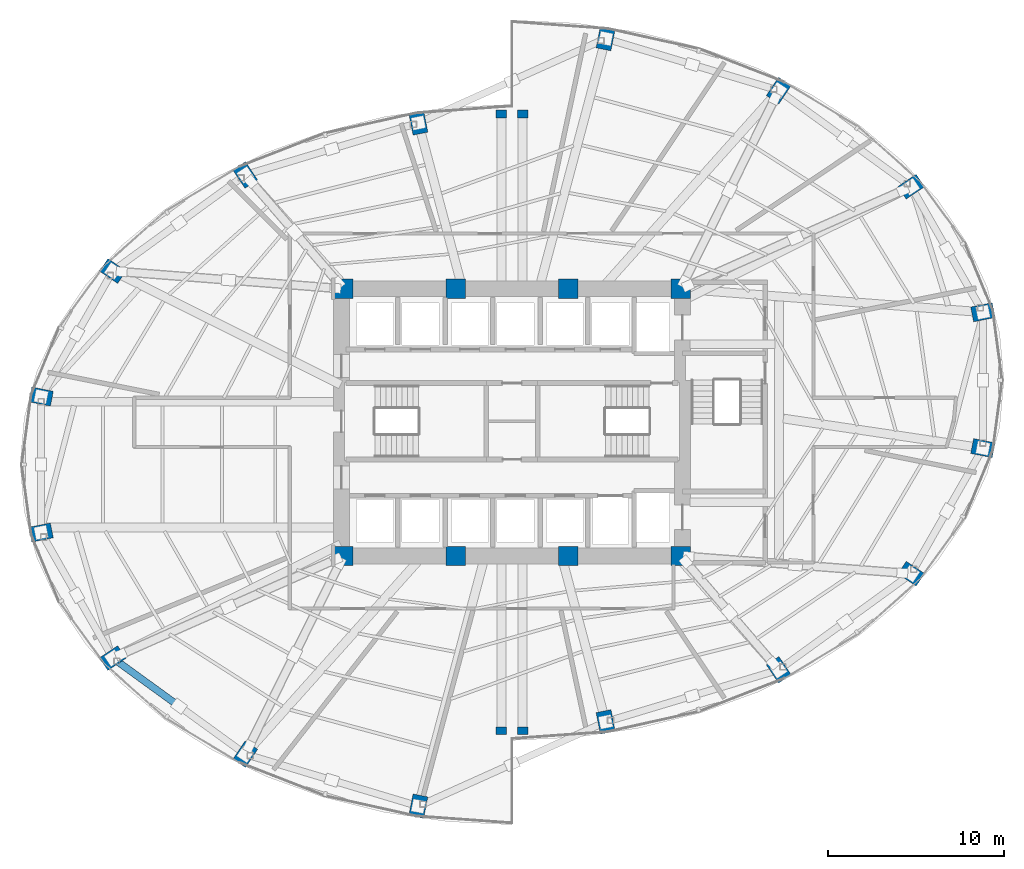
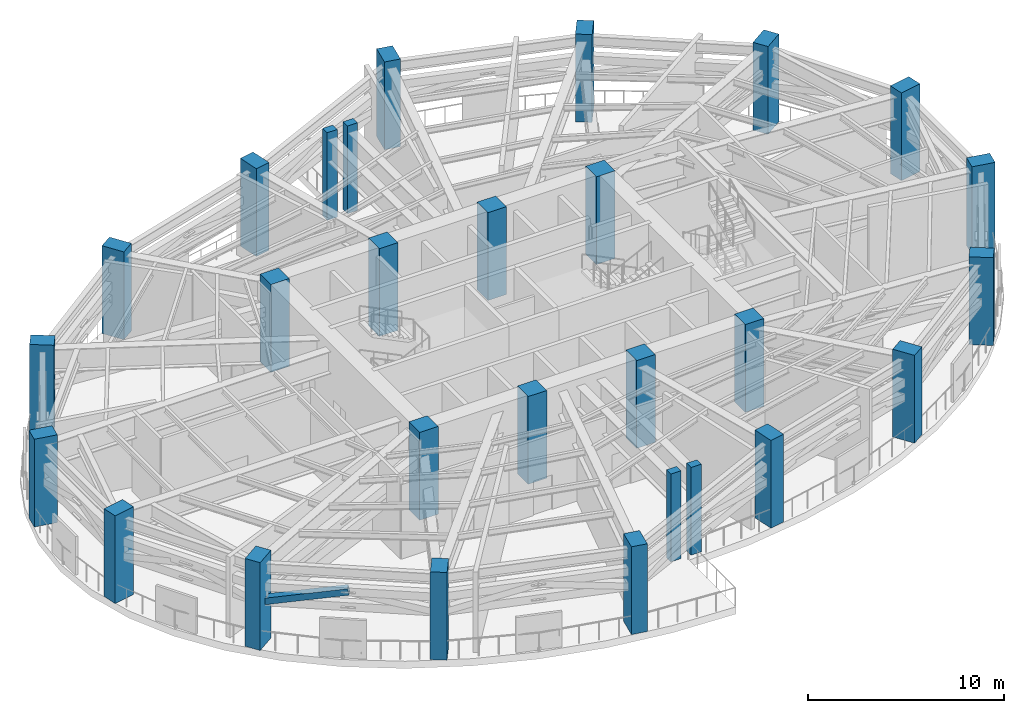
# One storey, part 1 of 14: 28 columns, 1 member.
"""IFC4 building model written with IfcOpenShell, lengths in metres."""

from ifc_helpers import new_model, si_unit, direction, frame, origin, origin_2d, place, context, subcontext, project, spatial, rectangle, hollow_rectangle, extrude, material, material_profile, profile_set, type_object, element, save


model = new_model("IFC4")

# Units and contexts
model_context = context("Model", 3, precision=1e-05, world=origin(), true_north=direction((0.0, 1.0)))
body_context = subcontext(model_context, "Body", "Model", "MODEL_VIEW")
ifc_project = project(units=[si_unit("LENGTHUNIT", "METRE"), si_unit("AREAUNIT", "SQUARE_METRE"), si_unit("VOLUMEUNIT", "CUBIC_METRE"), si_unit("PLANEANGLEUNIT", "RADIAN"), si_unit("MASSUNIT", "GRAM", prefix="KILO")], contexts=[model_context])

# Site, building, storey
site_placement = place(None, origin())
site = spatial("IfcSite", under=ifc_project, at=site_placement, CompositionType="ELEMENT")
building_placement = place(site_placement, origin())
building = spatial("IfcBuilding", under=site, at=building_placement, Name="Lazwardi Medical Tower", CompositionType="ELEMENT")
storey_placement = place(building_placement, frame((0.0, 0.0, 76.27197265625)))
storey = spatial("IfcBuildingStorey", under=building, at=storey_placement, Name="L19", CompositionType="ELEMENT", Elevation=76.27197265625)

# Columns
ifc_material_1 = material(Name="Concrete C80/95", Category="concrete")
ifc_material_profile_1 = material_profile(ifc_material_1, rectangle(XDim=1.10009765625, YDim=1.10009765625, at=origin_2d()), Name="RC 1100x1100")
ifc_profile_set_1 = profile_set([ifc_material_profile_1], Name="Concrete C80/95")
column_type_1 = type_object("IfcColumnType", Name="COL-CC-L", PredefinedType="COLUMN", material=ifc_profile_set_1)
for number, where, z_axis, x_axis, name in (
    (1, (26.39990234375, 20.39990234375, 0.0), (0.0, 0.0, 1.0), (1.0, 0.0, 0.0), "Core column CC-01 CC1 L19"),
    (2, (32.800048828125, 20.39990234375, 0.0), (0.0, 0.0, 1.0), (1.0, 0.0, 0.0), "Core column CC-01 CC2 L19"),
    (3, (39.199951171875, 20.39990234375, 0.0), (0.0, 0.0, 1.0), (1.0, 0.0, 0.0), "Core column CC-01 CC3 L19"),
    (4, (45.60009765625, 20.39990234375, 0.0), (0.0, 0.0, 1.0), (1.0, 0.0, 0.0), "Core column CC-01 CC4 L19"),
    (5, (45.60009765625, 35.60009765625, 0.0), (0.0, 0.0, 1.0), (1.0, 0.0, 0.0), "Core column CC-01 CC5 L19"),
    (6, (39.199951171875, 35.60009765625, 0.0), (0.0, 0.0, 1.0), (1.0, 0.0, 0.0), "Core column CC-01 CC6 L19"),
    (7, (32.800048828125, 35.60009765625, 0.0), (0.0, 0.0, 1.0), (1.0, 0.0, 0.0), "Core column CC-01 CC7 L19"),
    (8, (26.39990234375, 35.60009765625, 0.0), (0.0, 0.0, 1.0), (1.0, 0.0, 0.0), "Core column CC-01 CC8 L19"),
):
    element("IfcColumn", number, at=place(storey_placement, frame(where, z_axis=z_axis, x_axis=x_axis)), inside=storey, type_object=column_type_1, Name=name, PredefinedType="COLUMN", context=body_context, shape_type="SweptSolid", body=[
        extrude(rectangle(XDim=1.10009765625, YDim=1.10009765625, at=origin_2d()), origin(), (0.0, 0.0, 1.0), 5.471923828125),
    ])
ifc_material_2 = material(Name="Concrete C70/85", Category="concrete")
ifc_material_profile_2 = material_profile(ifc_material_2, rectangle(XDim=1.25, YDim=0.860107421875, at=origin_2d()), Name="CFT-RECT 1250x860")
ifc_profile_set_2 = profile_set([ifc_material_profile_2], Name="Concrete C70/85")
column_type_2 = type_object("IfcColumnType", Name="COL-MC-Z1", PredefinedType="COLUMN", material=ifc_profile_set_2)
for number, where, z_axis, x_axis, name in (
    (9, (41.330810546875, 10.955810546875, 0.0), (0.0, 0.0, 1.0), (0.195090322016, -0.980785280403, 0.0), "Mega column MC-03 M01 L19"),
    (10, (51.180908203125, 13.916015625, 0.0), (0.0, 0.0, 1.0), (0.55557023302, -0.831469612303, 0.0), "Mega column MC-03 M02 L19"),
    (11, (58.719970703125, 19.3857421875, 0.0), (0.0, 0.0, 1.0), (0.831469612303, -0.55557023302, 0.0), "Mega column MC-03 M03 L19"),
    (12, (62.800048828125, 26.5322265625, 0.0), (0.0, 0.0, 1.0), (0.980785280403, -0.195090322016, 0.0), "Mega column MC-03 M04 L19"),
    (13, (62.800048828125, 34.267578125, 0.0), (0.0, 0.0, 1.0), (0.980785280403, 0.195090322016, 0.0), "Mega column MC-03 M05 L19"),
    (14, (58.719970703125, 41.414306640625, 0.0), (0.0, 0.0, 1.0), (0.831469612303, 0.55557023302, 0.0), "Mega column MC-03 M06 L19"),
    (15, (51.180908203125, 46.8837890625, 0.0), (0.0, 0.0, 1.0), (0.55557023302, 0.831469612303, 0.0), "Mega column MC-03 M07 L19"),
    (16, (41.330810546875, 49.843994140625, 0.0), (0.0, 0.0, 1.0), (0.195090322016, 0.980785280403, 0.0), "Mega column MC-03 M08 L19"),
    (17, (30.669189453125, 45.044189453125, 0.0), (0.0, 0.0, 1.0), (-0.195090322016, 0.980785280403, 0.0), "Mega column MC-03 M09 L19"),
    (18, (20.819091796875, 42.083984375, 0.0), (0.0, 0.0, 1.0), (-0.55557023302, 0.831469612303, 0.0), "Mega column MC-03 M10 L19"),
    (19, (13.280029296875, 36.6142578125, 0.0), (0.0, 0.0, 1.0), (-0.831469612303, 0.55557023302, 0.0), "Mega column MC-03 M11 L19"),
    (20, (9.199951171875, 29.4677734375, 0.0), (0.0, 0.0, 1.0), (-0.980785280403, 0.195090322016, 0.0), "Mega column MC-03 M12 L19"),
    (21, (9.199951171875, 21.732421875, 0.0), (0.0, 0.0, 1.0), (-0.980785280403, -0.195090322016, 0.0), "Mega column MC-03 M13 L19"),
    (22, (13.280029296875, 14.585693359375, 0.0), (0.0, 0.0, 1.0), (-0.831469612303, -0.55557023302, 0.0), "Mega column MC-03 M14 L19"),
    (23, (20.819091796875, 9.1162109375, 0.0), (0.0, 0.0, 1.0), (-0.55557023302, -0.831469612303, 0.0), "Mega column MC-03 M15 L19"),
    (24, (30.669189453125, 6.156005859375, 0.0), (0.0, 0.0, 1.0), (-0.195090322016, -0.980785280403, 0.0), "Mega column MC-03 M16 L19"),
):
    element("IfcColumn", number, at=place(storey_placement, frame(where, z_axis=z_axis, x_axis=x_axis)), inside=storey, type_object=column_type_2, Name=name, PredefinedType="COLUMN", context=body_context, shape_type="SweptSolid", body=[
        extrude(rectangle(XDim=1.25, YDim=0.860107421875, at=origin_2d()), origin(), (0.0, 0.0, 1.0), 5.471923828125),
    ])
ifc_material_3 = material(Name="Concrete C60/75", Category="concrete")
ifc_material_profile_3 = material_profile(ifc_material_3, rectangle(XDim=0.60009765625, YDim=0.449951171875, at=origin_2d()), Name="RC 600x450")
ifc_profile_set_3 = profile_set([ifc_material_profile_3], Name="Concrete C60/75")
column_type_3 = type_object("IfcColumnType", Name="COL-PL-IW", PredefinedType="PILASTER", material=ifc_profile_set_3)
for number, where, z_axis, x_axis, name in (
    (25, (35.39990234375, 45.550048828125, 0.0), (0.0, 0.0, 1.0), (1.0, 0.0, 0.0), "Iwan pilaster column PL-C1 PL1 L19"),
    (26, (36.60009765625, 45.550048828125, 0.0), (0.0, 0.0, 1.0), (1.0, 0.0, 0.0), "Iwan pilaster column PL-C1 PL2 L19"),
    (27, (35.39990234375, 10.449951171875, 0.0), (0.0, 0.0, 1.0), (1.0, 0.0, 0.0), "Iwan pilaster column PL-C1 PL3 L19"),
    (28, (36.60009765625, 10.449951171875, 0.0), (0.0, 0.0, 1.0), (1.0, 0.0, 0.0), "Iwan pilaster column PL-C1 PL4 L19"),
):
    element("IfcColumn", number, at=place(storey_placement, frame(where, z_axis=z_axis, x_axis=x_axis)), inside=storey, type_object=column_type_3, Name=name, PredefinedType="PILASTER", context=body_context, shape_type="SweptSolid", body=[
        extrude(rectangle(XDim=0.60009765625, YDim=0.449951171875, at=origin_2d()), origin(), (0.0, 0.0, 1.0), 5.471923828125),
    ])

# Member
ifc_material_4 = material(Name="Steel S460", Category="steel")
ifc_material_profile_4 = material_profile(ifc_material_4, hollow_rectangle(XDim=0.39990234375, YDim=0.39990234375, WallThickness=0.02001953125, at=origin_2d()), Name="RHS 400x400x20")
ifc_profile_set_4 = profile_set([ifc_material_profile_4], Name="Steel S460")
member_type = type_object("IfcMemberType", Name="MEM-BD-01", PredefinedType="BRACE", material=ifc_profile_set_4)
member_placement = place(storey_placement, frame((13.514892578125, 14.41552734375, 2.679931640625), z_axis=(0.792020878496, -0.574622690132, 0.206183636625), x_axis=(0.587240542583, 0.809412469108, 0.0)))
element("IfcMember", 29, at=member_placement, inside=storey, type_object=member_type, Name="Belt truss diagonal BD-01 B14A L19", PredefinedType="BRACE", context=body_context, shape_type="SweptSolid", body=[
    extrude(hollow_rectangle(XDim=0.39990234375, YDim=0.39990234375, WallThickness=0.02001953125, at=origin_2d()), origin(), (0.0, 0.0, 1.0), 4.462890625),
])

save(model, "model.ifc")
